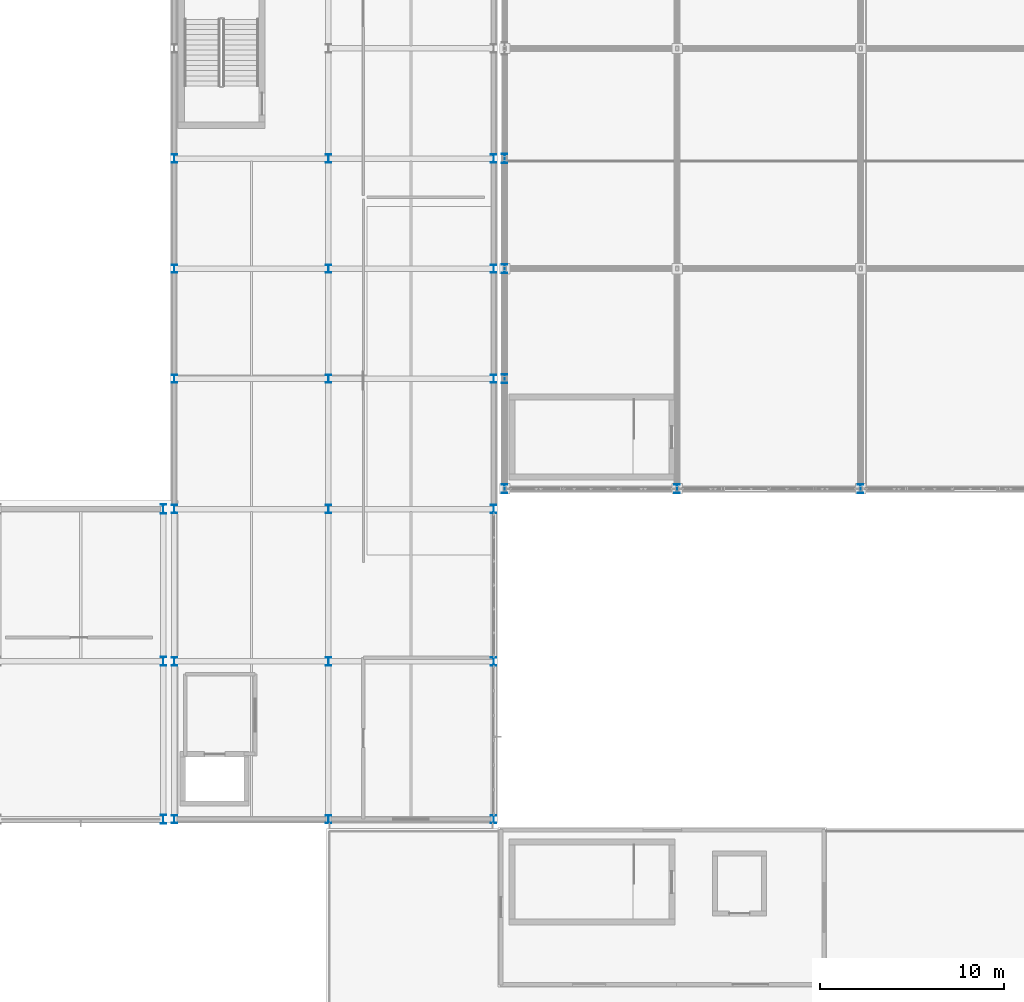
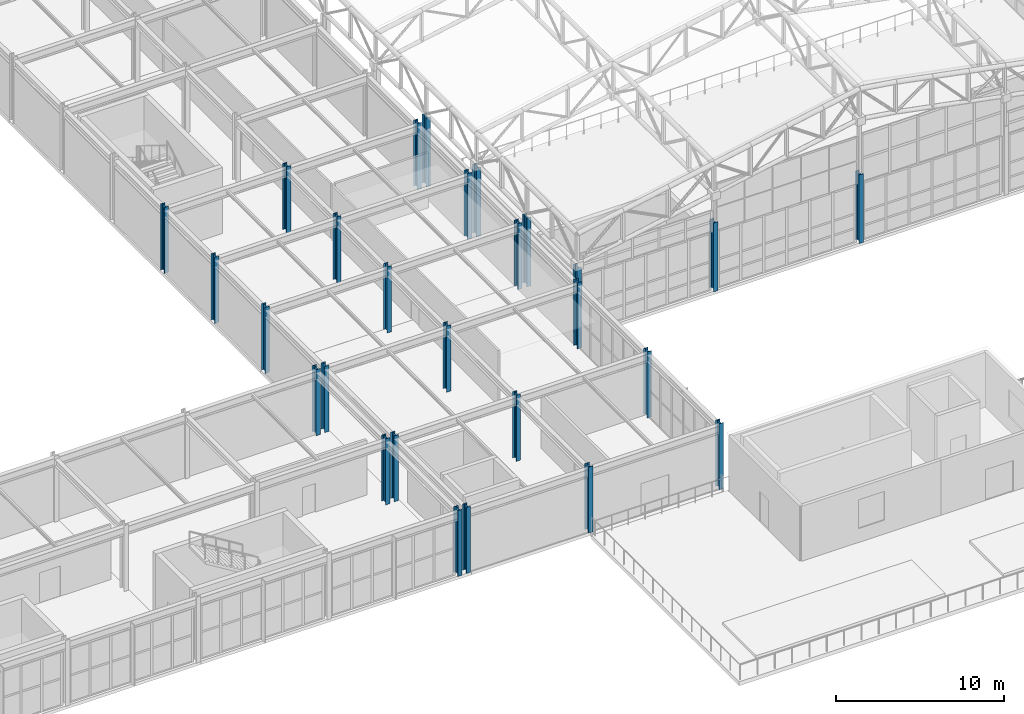
# One storey, part 5 of 112: 27 columns.
"""IFC4 building model written with IfcOpenShell, lengths in metres."""

import ifcopenshell
import ifcopenshell.guid

model = None  # the IFC model being written
_history = None  # IfcOwnerHistory: only IFC2X3 demands one
_inside = {}  # id of a spatial element -> (the spatial element, [elements in it])
_under = {}  # id of a project, library or spatial element -> (it, [spatial elements below it])
_declared = {}  # id of a project -> (the project, [libraries it declares])
_typed = {}  # id of a type object -> (the type object, [elements of that type])
_made_of = {}  # id of a material, layer set ... -> (it, [elements and type objects made of it])


def new_model(schema):
    """Start an empty IFC model of exactly this schema.

    Asked for "IFC4X3", IfcOpenShell would pick the latest addendum, in which some entities
    have other attributes; the version numbers below select the first issue.
    IFC2X3 requires an IfcOwnerHistory on every rooted entity: one is made here for all.
    """
    global model, _history
    if schema == "IFC4X3":
        model = ifcopenshell.file(schema_version=(4, 3, 0, 0))
    else:
        model = ifcopenshell.file(schema=schema)
    _inside.clear()
    _under.clear()
    _declared.clear()
    _typed.clear()
    _made_of.clear()
    _history = None
    if model.schema == "IFC2X3":
        org = make("IfcOrganization", Name="unknown")
        user = make(
            "IfcPersonAndOrganization",
            ThePerson=make("IfcPerson", FamilyName="unknown"),
            TheOrganization=org,
        )
        app = make(
            "IfcApplication",
            ApplicationDeveloper=org,
            Version="unknown",
            ApplicationFullName="unknown",
            ApplicationIdentifier="unknown",
        )
        _history = make(
            "IfcOwnerHistory",
            OwningUser=user,
            OwningApplication=app,
            ChangeAction="ADDED",
            CreationDate=0,
        )
    return model


def make(cls, **values):
    """One entity of the class cls with the attributes given. An attribute that is None is left unset."""
    return model.create_entity(
        cls, **{name: value for name, value in values.items() if value is not None}
    )


def rooted(cls, **values):
    """An entity with a GlobalId (a new one), such as an element, a storey or a relation."""
    return make(cls, GlobalId=ifcopenshell.guid.new(), OwnerHistory=_history, **values)


def si_unit(unit_type, name, prefix=None):
    """IfcSIUnit, for example si_unit("LENGTHUNIT", "METRE", prefix="MILLI")."""
    return make("IfcSIUnit", UnitType=unit_type, Prefix=prefix, Name=name)


def assignment(units):
    """IfcUnitAssignment: the units of a project."""
    return None if units is None else make("IfcUnitAssignment", Units=units)


def point(xyz):
    """IfcCartesianPoint."""
    return None if xyz is None else make("IfcCartesianPoint", Coordinates=xyz)


def direction(xyz):
    """IfcDirection."""
    return None if xyz is None else make("IfcDirection", DirectionRatios=xyz)


def frame(location, z_axis=None, x_axis=None):
    """IfcAxis2Placement3D, a coordinate frame: its origin and axes. An axis left out is left unset."""
    return make(
        "IfcAxis2Placement3D",
        Location=point(location),
        Axis=direction(z_axis),
        RefDirection=direction(x_axis),
    )


def frame_2d(location, x_axis=None):
    """IfcAxis2Placement2D, a coordinate frame in the plane: its origin and x axis."""
    return make(
        "IfcAxis2Placement2D", Location=point(location), RefDirection=direction(x_axis)
    )


def origin():
    """The frame at (0, 0, 0) with its axes left unset."""
    return frame((0.0, 0.0, 0.0))


def origin_2d():
    """The frame at (0, 0) in the plane with its x axis left unset."""
    return frame_2d((0.0, 0.0))


def place(relative_to, where):
    """IfcLocalPlacement: puts the frame where relative to a parent placement (None: the world)."""
    return make(
        "IfcLocalPlacement", PlacementRelTo=relative_to, RelativePlacement=where
    )


def context(
    kind, dimensions, precision=None, world=None, true_north=None, identifier=None
):
    """IfcGeometricRepresentationContext, for example the 3D "Model" context."""
    return make(
        "IfcGeometricRepresentationContext",
        ContextIdentifier=identifier,
        ContextType=kind,
        CoordinateSpaceDimension=dimensions,
        Precision=precision,
        WorldCoordinateSystem=world,
        TrueNorth=true_north,
    )


def subcontext(parent, identifier, kind, view, scale=None):
    """IfcGeometricRepresentationSubContext, for example "Body" below "Model"."""
    return make(
        "IfcGeometricRepresentationSubContext",
        ContextIdentifier=identifier,
        ContextType=kind,
        ParentContext=parent,
        TargetScale=scale,
        TargetView=view,
    )


def project(units=None, contexts=None):
    """IfcProject with its units and contexts."""
    return rooted(
        "IfcProject",
        Name="project",
        RepresentationContexts=contexts,
        UnitsInContext=assignment(units),
    )


def spatial(cls, under=None, at=None, **own):
    """A site, building, storey or space (cls), placed at a placement, below another one or the project."""
    s = rooted(cls, ObjectPlacement=at, **own)
    if under is not None:
        _under.setdefault(under.id(), (under, []))[1].append(s)
    return s


def profile(cls, at=None, kind="AREA", **sizes):
    """A parametric profile (cls). Its sizes go by their IFC names, for example OverallWidth=200.0."""
    return make(cls, ProfileType=kind, Position=at, **sizes)


def i_section(**sizes):
    """IfcIShapeProfileDef."""
    return profile("IfcIShapeProfileDef", **sizes)


def extrude(swept, where, along, depth):
    """IfcExtrudedAreaSolid: the profile swept, set in the frame where, extruded along a direction by depth."""
    return make(
        "IfcExtrudedAreaSolid",
        SweptArea=swept,
        Position=where,
        ExtrudedDirection=direction(along),
        Depth=depth,
    )


def shape(context_of_items, identifier, shape_type, items):
    """IfcShapeRepresentation: the items that make up one representation, for example the "Body"."""
    return make(
        "IfcShapeRepresentation",
        ContextOfItems=context_of_items,
        RepresentationIdentifier=identifier,
        RepresentationType=shape_type,
        Items=items,
    )


def material(Name=None, Category=None):
    """IfcMaterial."""
    return make("IfcMaterial", Name=Name, Category=Category)


def material_profile(
    of_material, cross_section, Name=None, Category=None, Priority=None
):
    """IfcMaterialProfile: a cross section and its material."""
    return make(
        "IfcMaterialProfile",
        Name=Name,
        Material=of_material,
        Profile=cross_section,
        Priority=Priority,
        Category=Category,
    )


def profile_set(profiles, Name=None, composite=None):
    """IfcMaterialProfileSet."""
    return make(
        "IfcMaterialProfileSet",
        Name=Name,
        MaterialProfiles=profiles,
        CompositeProfile=composite,
    )


def made_of(thing, what):
    """Note that an element or type object is made of a material, layer set ...; save() writes the relation."""
    if what is not None:
        _made_of.setdefault(what.id(), (what, []))[1].append(thing)
    return thing


def type_object(cls, material=None, **own):
    """A type object (cls), such as IfcWallType, which elements share."""
    return made_of(rooted(cls, **own), material)


def element(
    cls,
    number,
    at=None,
    inside=None,
    cuts=None,
    type_object=None,
    material=None,
    context=None,
    identifier="Body",
    shape_type=None,
    held_by="IfcProductDefinitionShape",
    body=None,
    shapes=None,
    **own,
):
    """One element of the class cls, such as IfcWall. Its Tag is "e" and its number.

    at: its placement. inside: the storey or other place that contains it. cuts: it is an
    opening in that element (IfcRelVoidsElement). A single representation is given by context,
    identifier, shape_type and body (its items); several are given by shapes. held_by: the class
    of the entity that holds the representations. save() writes the other relations.
    """
    e = rooted(cls, Tag="e%d" % number, ObjectPlacement=at, **own)
    if body is not None:
        shapes = [shape(context, identifier, shape_type, body)]
    if shapes is not None:
        e.Representation = make(held_by, Representations=shapes)
    if inside is not None:
        _inside.setdefault(inside.id(), (inside, []))[1].append(e)
    if cuts is not None:
        rooted(
            "IfcRelVoidsElement", RelatingBuildingElement=cuts, RelatedOpeningElement=e
        )
    if type_object is not None:
        _typed.setdefault(type_object.id(), (type_object, []))[1].append(e)
    return made_of(e, material)


def aggregate(whole, parts):
    """IfcRelAggregates: a whole, such as a stair, and the parts it consists of."""
    return rooted("IfcRelAggregates", RelatingObject=whole, RelatedObjects=parts)


def save(model, path):
    """Write the relations noted so far, then the file.

    IfcRelAggregates (storeys below a building ...), IfcRelContainedInSpatialStructure (elements
    in a storey), IfcRelDefinesByType, IfcRelAssociatesMaterial and IfcRelDeclares: one each for
    every whole, place, type object, material and project.
    """
    for whole, parts in _under.values():
        aggregate(whole, parts)
    for where, things in _inside.values():
        rooted(
            "IfcRelContainedInSpatialStructure",
            RelatedElements=things,
            RelatingStructure=where,
        )
    for kind, things in _typed.values():
        rooted("IfcRelDefinesByType", RelatedObjects=things, RelatingType=kind)
    for what, things in _made_of.values():
        rooted("IfcRelAssociatesMaterial", RelatedObjects=things, RelatingMaterial=what)
    for by, libraries in _declared.values():
        rooted("IfcRelDeclares", RelatingContext=by, RelatedDefinitions=libraries)
    model.write(path)


model = new_model("IFC4")

# Units and contexts
model_context = context("Model", 3, precision=1e-05, world=origin(), true_north=direction((0.0, 1.0)))
body_context = subcontext(model_context, "Body", "Model", "MODEL_VIEW")
ifc_project = project(units=[si_unit("LENGTHUNIT", "METRE"), si_unit("AREAUNIT", "SQUARE_METRE"), si_unit("VOLUMEUNIT", "CUBIC_METRE"), si_unit("PLANEANGLEUNIT", "RADIAN"), si_unit("MASSUNIT", "GRAM", prefix="KILO")], contexts=[model_context])

# Site, building, storey
site_placement = place(None, origin())
site = spatial("IfcSite", under=ifc_project, at=site_placement, CompositionType="ELEMENT")
building_placement = place(site_placement, origin())
building = spatial("IfcBuilding", under=site, at=building_placement, Name="Kaldris Quays Convention Centre", CompositionType="ELEMENT")
storey_placement = place(building_placement, frame((0.0, 0.0, 16.800048828125)))
storey = spatial("IfcBuildingStorey", under=building, at=storey_placement, Name="L03", CompositionType="ELEMENT", Elevation=16.800048828125)

# Columns
ifc_material = material(Name="Steel S355J2", Category="steel")
ifc_material_profile_1 = material_profile(ifc_material, i_section(OverallWidth=0.300048828125, OverallDepth=0.5, WebThickness=0.014404296875, FlangeThickness=0.028076171875, FilletRadius=0.027099609375, at=origin_2d()), Name="HEB 500")
ifc_profile_set_1 = profile_set([ifc_material_profile_1], Name="Steel S355J2")
column_type_1 = type_object("IfcColumnType", Name="STRUCTURAL COLUMN CL07", PredefinedType="COLUMN", material=ifc_profile_set_1)
for number, where, z_axis, x_axis, name in (
    (1, (146.0, 38.0, 0.0), (0.0, 0.0, 1.0), (1.0, 0.0, 0.0), "L03 V4 Column CL07 (146.00, 38.00)"),
    (2, (146.0, 46.60009765625, 0.0), (0.0, 0.0, 1.0), (1.0, 0.0, 0.0), "L03 V4 Column CL07 (146.00, 46.60)"),
    (3, (146.0, 54.89990234375, 0.0), (0.0, 0.0, 1.0), (1.0, 0.0, 0.0), "L03 V4 Column CL07 (146.00, 54.90)"),
):
    element("IfcColumn", number, at=place(storey_placement, frame(where, z_axis=z_axis, x_axis=x_axis)), inside=storey, type_object=column_type_1, Name=name, PredefinedType="COLUMN", context=body_context, shape_type="SweptSolid", body=[
        extrude(i_section(OverallWidth=0.300048828125, OverallDepth=0.5, WebThickness=0.014404296875, FlangeThickness=0.028076171875, FilletRadius=0.027099609375, at=origin_2d()), origin(), (0.0, 0.0, 1.0), 4.800048828125),
    ])
for number, where, z_axis, x_axis, name in (
    (4, (164.60009765625, 56.0, 0.0), (0.0, 0.0, 1.0), (1.0, 0.0, 0.0), "L03 V2 Column CL07 (164.60, 56.00)"),
    (5, (164.60009765625, 62.0, 0.0), (0.0, 0.0, 1.0), (1.0, 0.0, 0.0), "L03 V2 Column CL07 (164.60, 62.00)"),
    (6, (164.60009765625, 68.0, 0.0), (0.0, 0.0, 1.0), (1.0, 0.0, 0.0), "L03 V2 Column CL07 (164.60, 68.00)"),
    (7, (164.60009765625, 74.0, 0.0), (0.0, 0.0, 1.0), (1.0, 0.0, 0.0), "L03 V2 Column CL07 (164.60, 74.00)"),
    (8, (174.0, 56.0, 0.0), (0.0, 0.0, 1.0), (1.0, 0.0, 0.0), "L03 V2 Column CL07 (174.00, 56.00)"),
    (9, (184.0, 56.0, 0.0), (0.0, 0.0, 1.0), (1.0, 0.0, 0.0), "L03 V2 Column CL07 (184.00, 56.00)"),
):
    element("IfcColumn", number, at=place(storey_placement, frame(where, z_axis=z_axis, x_axis=x_axis)), inside=storey, type_object=column_type_1, Name=name, PredefinedType="COLUMN", context=body_context, shape_type="SweptSolid", body=[
        extrude(i_section(OverallWidth=0.300048828125, OverallDepth=0.5, WebThickness=0.014404296875, FlangeThickness=0.028076171875, FilletRadius=0.027099609375, at=origin_2d()), origin(), (0.0, 0.0, 1.0), 5.0),
    ])
ifc_material_profile_2 = material_profile(ifc_material, i_section(OverallWidth=0.300048828125, OverallDepth=0.449951171875, WebThickness=0.013916015625, FlangeThickness=0.02587890625, FilletRadius=0.027099609375, at=origin_2d()), Name="HEB 450")
ifc_profile_set_2 = profile_set([ifc_material_profile_2], Name="Steel S355J2")
column_type_2 = type_object("IfcColumnType", Name="STRUCTURAL COLUMN CL08", PredefinedType="COLUMN", material=ifc_profile_set_2)
for number, where, z_axis, x_axis, name in (
    (10, (146.60009765625, 38.0, 0.0), (0.0, 0.0, 1.0), (1.0, 0.0, 0.0), "L03 V4 Column CL08 (146.60, 38.00)"),
    (11, (146.60009765625, 46.60009765625, 0.0), (0.0, 0.0, 1.0), (1.0, 0.0, 0.0), "L03 V4 Column CL08 (146.60, 46.60)"),
    (12, (146.60009765625, 54.89990234375, 0.0), (0.0, 0.0, 1.0), (1.0, 0.0, 0.0), "L03 V4 Column CL08 (146.60, 54.90)"),
    (13, (146.60009765625, 62.0, 0.0), (0.0, 0.0, 1.0), (1.0, 0.0, 0.0), "L03 V4 Column CL08 (146.60, 62.00)"),
    (14, (146.60009765625, 68.0, 0.0), (0.0, 0.0, 1.0), (1.0, 0.0, 0.0), "L03 V4 Column CL08 (146.60, 68.00)"),
    (15, (146.60009765625, 74.0, 0.0), (0.0, 0.0, 1.0), (1.0, 0.0, 0.0), "L03 V4 Column CL08 (146.60, 74.00)"),
    (16, (155.0, 38.0, 0.0), (0.0, 0.0, 1.0), (1.0, 0.0, 0.0), "L03 V4 Column CL08 (155.00, 38.00)"),
    (17, (155.0, 46.60009765625, 0.0), (0.0, 0.0, 1.0), (1.0, 0.0, 0.0), "L03 V4 Column CL08 (155.00, 46.60)"),
    (18, (155.0, 54.89990234375, 0.0), (0.0, 0.0, 1.0), (1.0, 0.0, 0.0), "L03 V4 Column CL08 (155.00, 54.90)"),
    (19, (155.0, 62.0, 0.0), (0.0, 0.0, 1.0), (1.0, 0.0, 0.0), "L03 V4 Column CL08 (155.00, 62.00)"),
    (20, (155.0, 68.0, 0.0), (0.0, 0.0, 1.0), (1.0, 0.0, 0.0), "L03 V4 Column CL08 (155.00, 68.00)"),
    (21, (155.0, 74.0, 0.0), (0.0, 0.0, 1.0), (1.0, 0.0, 0.0), "L03 V4 Column CL08 (155.00, 74.00)"),
    (22, (164.0, 38.0, 0.0), (0.0, 0.0, 1.0), (1.0, 0.0, 0.0), "L03 V4 Column CL08 (164.00, 38.00)"),
    (23, (164.0, 46.60009765625, 0.0), (0.0, 0.0, 1.0), (1.0, 0.0, 0.0), "L03 V4 Column CL08 (164.00, 46.60)"),
    (24, (164.0, 54.89990234375, 0.0), (0.0, 0.0, 1.0), (1.0, 0.0, 0.0), "L03 V4 Column CL08 (164.00, 54.90)"),
    (25, (164.0, 62.0, 0.0), (0.0, 0.0, 1.0), (1.0, 0.0, 0.0), "L03 V4 Column CL08 (164.00, 62.00)"),
    (26, (164.0, 68.0, 0.0), (0.0, 0.0, 1.0), (1.0, 0.0, 0.0), "L03 V4 Column CL08 (164.00, 68.00)"),
    (27, (164.0, 74.0, 0.0), (0.0, 0.0, 1.0), (1.0, 0.0, 0.0), "L03 V4 Column CL08 (164.00, 74.00)"),
):
    element("IfcColumn", number, at=place(storey_placement, frame(where, z_axis=z_axis, x_axis=x_axis)), inside=storey, type_object=column_type_2, Name=name, PredefinedType="COLUMN", context=body_context, shape_type="SweptSolid", body=[
        extrude(i_section(OverallWidth=0.300048828125, OverallDepth=0.449951171875, WebThickness=0.013916015625, FlangeThickness=0.02587890625, FilletRadius=0.027099609375, at=origin_2d()), origin(), (0.0, 0.0, 1.0), 4.800048828125),
    ])

save(model, "model.ifc")
